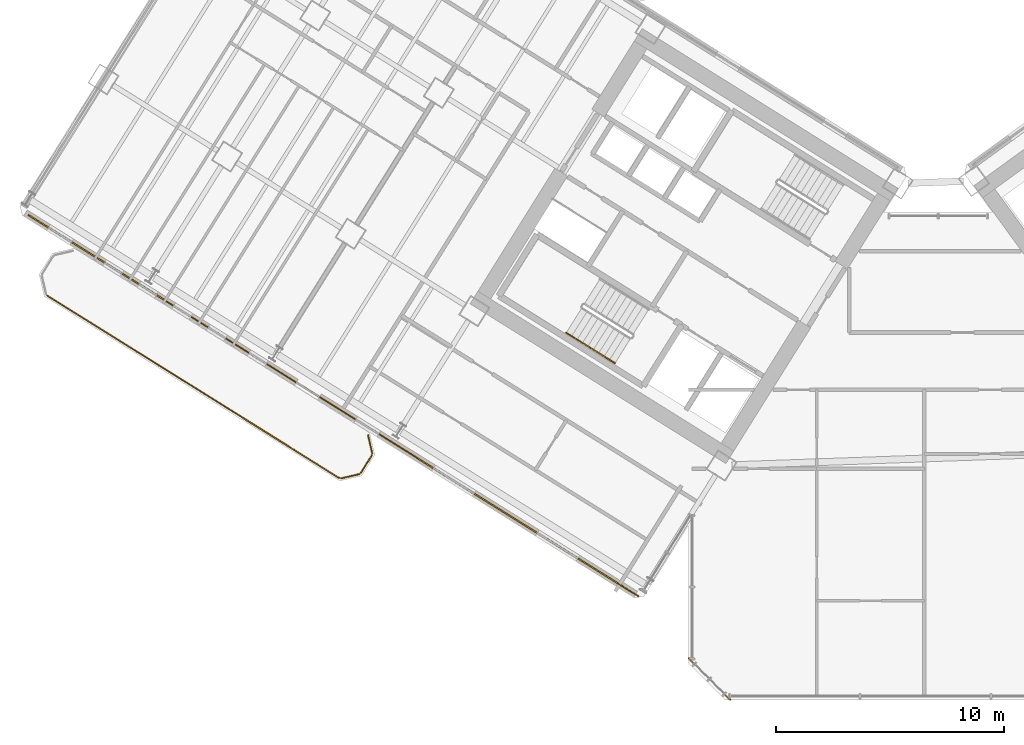
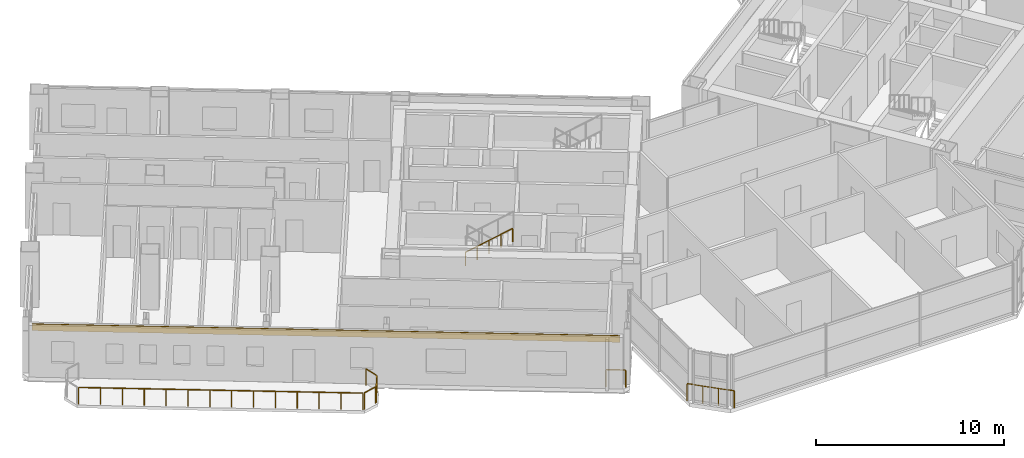
# One storey, part 21 of 28: 8 railings, 1 covering.
"""IFC4 building model written with IfcOpenShell, lengths in metres."""

from ifc_helpers import new_model, si_unit, direction, frame, origin, origin_2d, place, context, subcontext, project, spatial, rectangle, extrude, source, transform, mapped, material, layer, layer_set, type_object, element, save


model = new_model("IFC4")

# Units and contexts
model_context = context("Model", 3, precision=1e-05, world=origin(), true_north=direction((0.0, 1.0)))
body_context = subcontext(model_context, "Body", "Model", "MODEL_VIEW")
ifc_project = project(units=[si_unit("LENGTHUNIT", "METRE"), si_unit("AREAUNIT", "SQUARE_METRE"), si_unit("VOLUMEUNIT", "CUBIC_METRE"), si_unit("PLANEANGLEUNIT", "RADIAN"), si_unit("MASSUNIT", "GRAM", prefix="KILO")], contexts=[model_context])

# Site, building, storey
site_placement = place(None, origin())
site = spatial("IfcSite", under=ifc_project, at=site_placement, CompositionType="ELEMENT")
building_placement = place(site_placement, origin())
building = spatial("IfcBuilding", under=site, at=building_placement, Name="Tlacorven Tower", CompositionType="ELEMENT")
storey_placement = place(building_placement, frame((0.0, 0.0, 27.60009765625)))
storey = spatial("IfcBuildingStorey", under=building, at=storey_placement, Name="L06", CompositionType="ELEMENT", Elevation=27.60009765625)

# Railings
ifc_material_1 = material(Name="Aluminium and painted steel balustrade", Category="steel")
railing_type_1 = type_object("IfcRailingType", Name="RL-BAL-1100", PredefinedType="BALUSTRADE", material=ifc_material_1)
shared_shape_1 = source(origin(), body_context, "Body", "SweptSolid", [
    extrude(rectangle(XDim=0.048095703125, YDim=0.048095703125, at=origin_2d()), frame((0.0, 0.0, 1.076171875), z_axis=(0.225058334816, -0.974345290916, 0.0), x_axis=(0.974345290916, 0.225058334816, 0.0)), (0.0, 0.0, 1.0), 0.80712890625),
    extrude(rectangle(XDim=0.0419921875, YDim=0.0419921875, at=origin_2d()), origin(), (0.0, 0.0, 1.0), 1.052001953125),
    extrude(rectangle(XDim=0.0419921875, YDim=0.0419921875, at=origin_2d()), frame((0.181640625, -0.786376953125, 0.0)), (0.0, 0.0, 1.0), 1.052001953125),
])
railing_1_placement = place(storey_placement, frame((17.5244140625, 13.413330078125, 0.0)))
element("IfcRailing", 1, at=railing_1_placement, inside=storey, type_object=railing_type_1, Name="BAL-L06-W-OUT Guard Railing 1", PredefinedType="BALUSTRADE", context=body_context, shape_type="MappedRepresentation", body=[
    mapped(shared_shape_1, transform((0.0, 0.0, 0.0), scale=1.0)),
])
shared_shape_2 = source(origin(), body_context, "Body", "SweptSolid", [
    extrude(rectangle(XDim=0.048095703125, YDim=0.048095703125, at=origin_2d()), frame((0.0, 0.0, 1.076171875), z_axis=(-0.52987865805, -0.848073468364, 0.0), x_axis=(0.848073468364, -0.52987865805, 0.0)), (0.0, 0.0, 1.0), 0.912353515625),
    extrude(rectangle(XDim=0.0419921875, YDim=0.0419921875, at=origin_2d()), origin(), (0.0, 0.0, 1.0), 1.052001953125),
    extrude(rectangle(XDim=0.0419921875, YDim=0.0419921875, at=origin_2d()), frame((-0.4833984375, -0.773681640625, 0.0)), (0.0, 0.0, 1.0), 1.052001953125),
])
railing_2_placement = place(storey_placement, frame((17.690673828125, 12.535888671875, 0.0)))
element("IfcRailing", 2, at=railing_2_placement, inside=storey, type_object=railing_type_1, Name="BAL-L06-W-OUT Guard Railing 2", PredefinedType="BALUSTRADE", context=body_context, shape_type="MappedRepresentation", body=[
    mapped(shared_shape_2, transform((0.0, 0.0, 0.0), scale=1.0)),
])
shared_shape_3 = source(origin(), body_context, "Body", "SweptSolid", [
    extrude(rectangle(XDim=0.048095703125, YDim=0.048095703125, at=origin_2d()), frame((0.0, 0.0, 1.076171875), z_axis=(-0.974411586182, -0.224771129628, 0.0), x_axis=(0.224771129628, -0.974411586182, 0.0)), (0.0, 0.0, 1.0), 0.80712890625),
    extrude(rectangle(XDim=0.0419921875, YDim=0.0419921875, at=origin_2d()), origin(), (0.0, 0.0, 1.0), 1.052001953125),
    extrude(rectangle(XDim=0.0419921875, YDim=0.0419921875, at=origin_2d()), frame((-0.786376953125, -0.181396484375, 0.0)), (0.0, 0.0, 1.0), 1.052001953125),
])
railing_3_placement = place(storey_placement, frame((17.132080078125, 11.70849609375, 0.0)))
element("IfcRailing", 3, at=railing_3_placement, inside=storey, type_object=railing_type_1, Name="BAL-L06-W-OUT Guard Railing 3", PredefinedType="BALUSTRADE", context=body_context, shape_type="MappedRepresentation", body=[
    mapped(shared_shape_3, transform((0.0, 0.0, 0.0), scale=1.0)),
])
shared_shape_4 = source(origin(), body_context, "Body", "SweptSolid", [
    extrude(rectangle(XDim=0.048095703125, YDim=0.048095703125, at=origin_2d()), frame((0.0, 0.0, 1.076171875), z_axis=(-0.848044572804, 0.529924902733, 0.0), x_axis=(-0.529924902733, -0.848044572804, 0.0)), (0.0, 0.0, 1.0), 15.1171875),
    extrude(rectangle(XDim=0.0419921875, YDim=0.0419921875, at=origin_2d()), origin(), (0.0, 0.0, 1.0), 1.052001953125),
    extrude(rectangle(XDim=0.0419921875, YDim=0.0419921875, at=origin_2d()), frame((-0.986083984375, 0.6162109375, 0.0)), (0.0, 0.0, 1.0), 1.052001953125),
    extrude(rectangle(XDim=0.0419921875, YDim=0.0419921875, at=origin_2d()), frame((-1.972412109375, 1.232421875, 0.0)), (0.0, 0.0, 1.0), 1.052001953125),
    extrude(rectangle(XDim=0.0419921875, YDim=0.0419921875, at=origin_2d()), frame((-2.95849609375, 1.8486328125, 0.0)), (0.0, 0.0, 1.0), 1.052001953125),
    extrude(rectangle(XDim=0.0419921875, YDim=0.0419921875, at=origin_2d()), frame((-3.944580078125, 2.46484375, 0.0)), (0.0, 0.0, 1.0), 1.052001953125),
    extrude(rectangle(XDim=0.0419921875, YDim=0.0419921875, at=origin_2d()), frame((-4.930908203125, 3.0810546875, 0.0)), (0.0, 0.0, 1.0), 1.052001953125),
    extrude(rectangle(XDim=0.0419921875, YDim=0.0419921875, at=origin_2d()), frame((-5.9169921875, 3.697265625, 0.0)), (0.0, 0.0, 1.0), 1.052001953125),
    extrude(rectangle(XDim=0.0419921875, YDim=0.0419921875, at=origin_2d()), frame((-6.903076171875, 4.313720703125, 0.0)), (0.0, 0.0, 1.0), 1.052001953125),
    extrude(rectangle(XDim=0.0419921875, YDim=0.0419921875, at=origin_2d()), frame((-7.88916015625, 4.929931640625, 0.0)), (0.0, 0.0, 1.0), 1.052001953125),
    extrude(rectangle(XDim=0.0419921875, YDim=0.0419921875, at=origin_2d()), frame((-8.87548828125, 5.546142578125, 0.0)), (0.0, 0.0, 1.0), 1.052001953125),
    extrude(rectangle(XDim=0.0419921875, YDim=0.0419921875, at=origin_2d()), frame((-9.861572265625, 6.162353515625, 0.0)), (0.0, 0.0, 1.0), 1.052001953125),
    extrude(rectangle(XDim=0.0419921875, YDim=0.0419921875, at=origin_2d()), frame((-10.84765625, 6.778564453125, 0.0)), (0.0, 0.0, 1.0), 1.052001953125),
    extrude(rectangle(XDim=0.0419921875, YDim=0.0419921875, at=origin_2d()), frame((-11.833984375, 7.394775390625, 0.0)), (0.0, 0.0, 1.0), 1.052001953125),
    extrude(rectangle(XDim=0.0419921875, YDim=0.0419921875, at=origin_2d()), frame((-12.820068359375, 8.010986328125, 0.0)), (0.0, 0.0, 1.0), 1.052001953125),
])
railing_4_placement = place(storey_placement, frame((16.254638671875, 11.542236328125, 0.0)))
element("IfcRailing", 4, at=railing_4_placement, inside=storey, type_object=railing_type_1, Name="BAL-L06-W-OUT Guard Railing 4", PredefinedType="BALUSTRADE", context=body_context, shape_type="MappedRepresentation", body=[
    mapped(shared_shape_4, transform((0.0, 0.0, 0.0), scale=1.0)),
])
railing_type_2 = type_object("IfcRailingType", Name="RL-GRD-1150", PredefinedType="GUARDRAIL", material=ifc_material_1)
shared_shape_5 = source(origin(), body_context, "Body", "SweptSolid", [
    extrude(rectangle(XDim=0.048095703125, YDim=0.048095703125, at=origin_2d()), frame((0.0, 0.0, 1.1259765625), z_axis=(-0.707106781187, 0.707106781187, 0.0), x_axis=(-0.707106781187, -0.707106781187, 0.0)), (0.0, 0.0, 1.0), 2.590087890625),
    extrude(rectangle(XDim=0.0419921875, YDim=0.0419921875, at=origin_2d()), origin(), (0.0, 0.0, 1.0), 1.101806640625),
    extrude(rectangle(XDim=0.0419921875, YDim=0.0419921875, at=origin_2d()), frame((-0.610595703125, 0.610595703125, 0.0)), (0.0, 0.0, 1.0), 1.101806640625),
    extrude(rectangle(XDim=0.0419921875, YDim=0.0419921875, at=origin_2d()), frame((-1.220947265625, 1.220947265625, 0.0)), (0.0, 0.0, 1.0), 1.101806640625),
    extrude(rectangle(XDim=0.0419921875, YDim=0.0419921875, at=origin_2d()), frame((-1.83154296875, 1.83154296875, 0.0)), (0.0, 0.0, 1.0), 1.101806640625),
])
railing_5_placement = place(storey_placement, frame((33.428955078125, 1.79736328125, 0.0)))
element("IfcRailing", 5, at=railing_5_placement, inside=storey, type_object=railing_type_2, Name="L06 Knuckle Glazed Sill Guard 1", PredefinedType="GUARDRAIL", context=body_context, shape_type="MappedRepresentation", body=[
    mapped(shared_shape_5, transform((0.0, 0.0, 0.0), scale=1.0)),
])
shared_shape_6 = source(origin(), body_context, "Body", "SweptSolid", [
    extrude(rectangle(XDim=0.048095703125, YDim=0.048095703125, at=origin_2d()), frame((0.0, 0.0, 1.1259765625), z_axis=(-0.848102774857, 0.529831749973, 0.0), x_axis=(-0.529831749973, -0.848102774857, 0.0)), (0.0, 0.0, 1.0), 1.050048828125),
    extrude(rectangle(XDim=0.0419921875, YDim=0.0419921875, at=origin_2d()), origin(), (0.0, 0.0, 1.0), 1.101806640625),
    extrude(rectangle(XDim=0.0419921875, YDim=0.0419921875, at=origin_2d()), frame((-0.890625, 0.556396484375, 0.0)), (0.0, 0.0, 1.0), 1.101806640625),
])
railing_6_placement = place(storey_placement, frame((29.39501953125, 6.35009765625, 0.0)))
element("IfcRailing", 6, at=railing_6_placement, inside=storey, type_object=railing_type_2, Name="L06 Knuckle Glazed Sill Guard 2", PredefinedType="GUARDRAIL", context=body_context, shape_type="MappedRepresentation", body=[
    mapped(shared_shape_6, transform((0.0, 0.0, 0.0), scale=1.0)),
])

# Covering
ifc_material_2 = material(Name="Precast concrete C45/55", Category="concrete")
ifc_layer = layer(ifc_material_2, 0.06005859375)
ifc_layer_set = layer_set([ifc_layer], Name="Precast concrete C45/55")
covering_type = type_object("IfcCoveringType", Name="CV-CLD-TERC", PredefinedType="CLADDING", material=ifc_layer_set)
shared_shape_7 = source(origin(), body_context, "Body", "SweptSolid", [
    extrude(rectangle(XDim=31.287353515625, YDim=0.06005859375, at=origin_2d()), origin(), (0.0, 0.0, 1.0), 0.419921875),
])
covering_placement = place(storey_placement, frame((15.8740234375, 14.798828125, 2.929931640625), z_axis=(0.0, 0.0, 1.0), x_axis=(-0.84804812172, 0.529919223323, 0.0)))
element("IfcCovering", 7, at=covering_placement, inside=storey, type_object=covering_type, Name="L06 Masonry-Frame Spandrel Cladding 1", PredefinedType="CLADDING", context=body_context, shape_type="MappedRepresentation", body=[
    mapped(shared_shape_7, transform((0.0, 0.0, 0.0), scale=1.0)),
])

# Railings
railing_type_3 = type_object("IfcRailingType", Name="RL-HND-0900", PredefinedType="HANDRAIL", material=ifc_material_1)
shared_shape_8 = source(origin(), body_context, "Body", "SweptSolid", [
    extrude(rectangle(XDim=0.048095703125, YDim=0.048095703125, at=origin_2d()), frame((0.0, 0.0, 0.8759765625), z_axis=(0.713279695859, -0.445799809912, 0.540827703579), x_axis=(0.529998940003, 0.847998304005, 0.0)), (0.0, 0.0, 1.0), 1.497802734375),
    extrude(rectangle(XDim=0.0419921875, YDim=0.0419921875, at=origin_2d()), origin(), (0.0, 0.0, 1.0), 0.851806640625),
    extrude(rectangle(XDim=0.0419921875, YDim=0.0419921875, at=origin_2d()), frame((0.5341796875, -0.333984375, 0.405029296875)), (0.0, 0.0, 1.0), 0.851806640625),
    extrude(rectangle(XDim=0.0419921875, YDim=0.0419921875, at=origin_2d()), frame((1.068359375, -0.667724609375, 0.81005859375)), (0.0, 0.0, 1.0), 0.851806640625),
])
railing_7_placement = place(storey_placement, frame((27.29736328125, 17.24755859375, 2.789794921875)))
element("IfcRailing", 8, at=railing_7_placement, inside=storey, type_object=railing_type_3, Name="L06 ST-W1 stair handrail 4", PredefinedType="HANDRAIL", context=body_context, shape_type="MappedRepresentation", body=[
    mapped(shared_shape_8, transform((0.0, 0.0, 0.0), scale=1.0)),
])
shared_shape_9 = source(origin(), body_context, "Body", "SweptSolid", [
    extrude(rectangle(XDim=0.048095703125, YDim=0.048095703125, at=origin_2d()), frame((0.0, 0.0, 0.8759765625), z_axis=(0.713422621445, -0.445787267455, 0.540649494022), x_axis=(0.529911857636, 0.848052724267, 0.0)), (0.0, 0.0, 1.0), 1.497802734375),
    extrude(rectangle(XDim=0.0419921875, YDim=0.0419921875, at=origin_2d()), origin(), (0.0, 0.0, 1.0), 0.851806640625),
    extrude(rectangle(XDim=0.0419921875, YDim=0.0419921875, at=origin_2d()), frame((0.5341796875, -0.333984375, 0.40478515625)), (0.0, 0.0, 1.0), 0.851806640625),
    extrude(rectangle(XDim=0.0419921875, YDim=0.0419921875, at=origin_2d()), frame((1.068603515625, -0.667724609375, 0.809814453125)), (0.0, 0.0, 1.0), 0.851806640625),
])
railing_8_placement = place(storey_placement, frame((26.228759765625, 17.915283203125, 1.97998046875)))
element("IfcRailing", 9, at=railing_8_placement, inside=storey, type_object=railing_type_3, Name="L06 ST-W1 stair handrail 3", PredefinedType="HANDRAIL", context=body_context, shape_type="MappedRepresentation", body=[
    mapped(shared_shape_9, transform((0.0, 0.0, 0.0), scale=1.0)),
])

save(model, "model.ifc")
